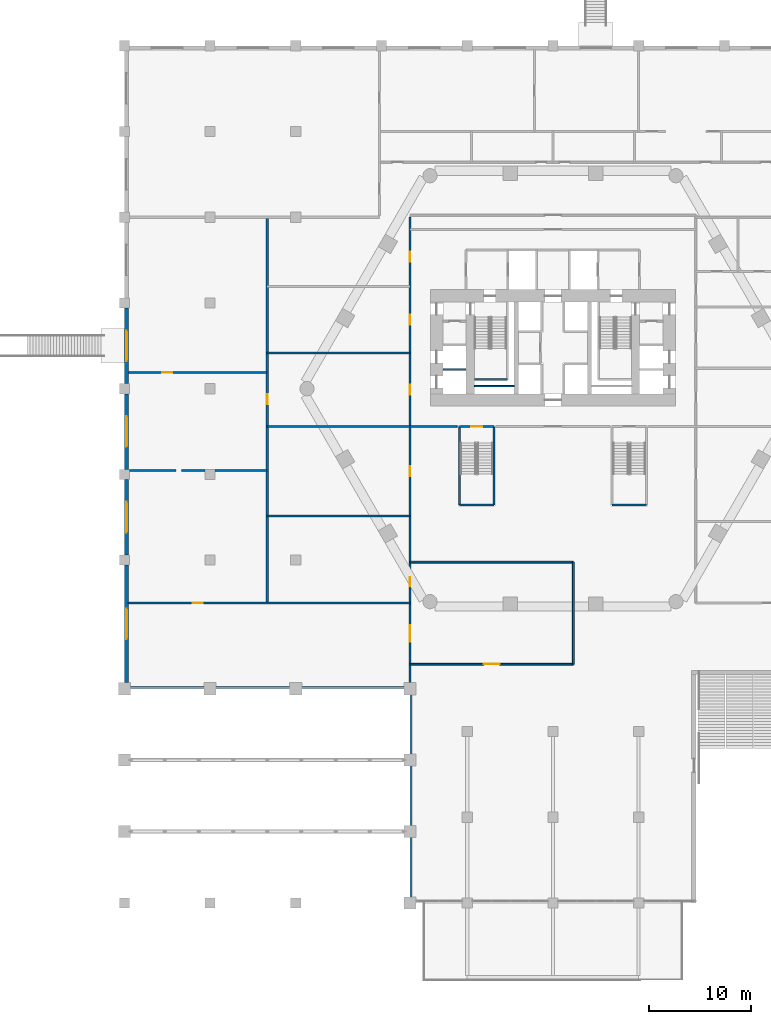
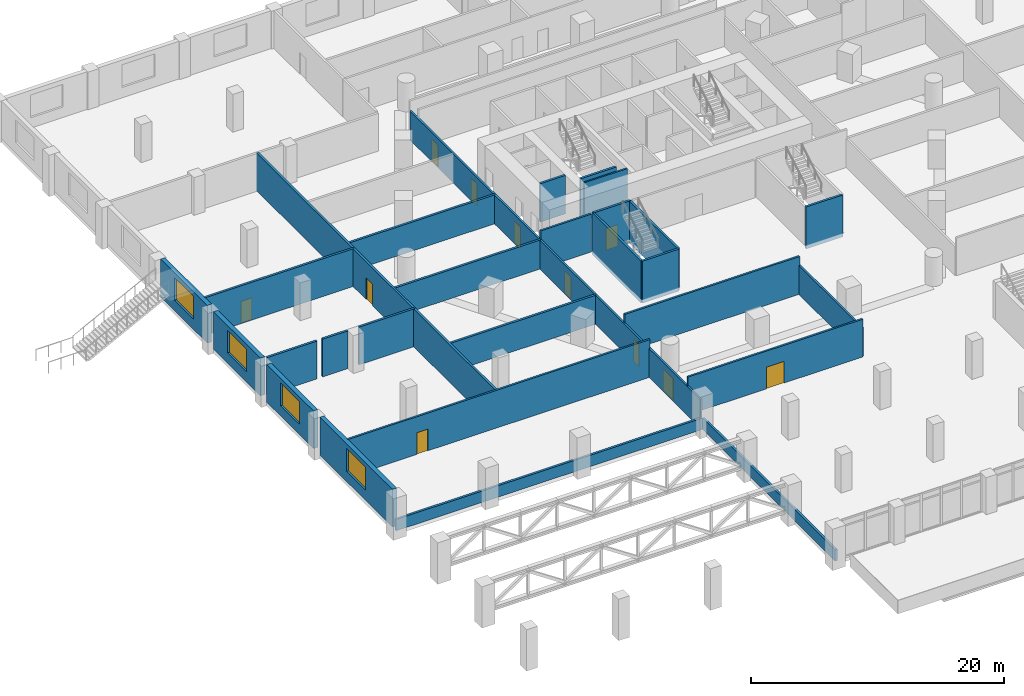
# One storey, part 12 of 24: 28 walls, 11 doors, 4 windows, 15 openings.
"""IFC4 building model written with IfcOpenShell, lengths in metres."""

import ifcopenshell
import ifcopenshell.guid

model = None  # the IFC model being written
_history = None  # IfcOwnerHistory: only IFC2X3 demands one
_inside = {}  # id of a spatial element -> (the spatial element, [elements in it])
_under = {}  # id of a project, library or spatial element -> (it, [spatial elements below it])
_declared = {}  # id of a project -> (the project, [libraries it declares])
_typed = {}  # id of a type object -> (the type object, [elements of that type])
_made_of = {}  # id of a material, layer set ... -> (it, [elements and type objects made of it])


def new_model(schema):
    """Start an empty IFC model of exactly this schema.

    Asked for "IFC4X3", IfcOpenShell would pick the latest addendum, in which some entities
    have other attributes; the version numbers below select the first issue.
    IFC2X3 requires an IfcOwnerHistory on every rooted entity: one is made here for all.
    """
    global model, _history
    if schema == "IFC4X3":
        model = ifcopenshell.file(schema_version=(4, 3, 0, 0))
    else:
        model = ifcopenshell.file(schema=schema)
    _inside.clear()
    _under.clear()
    _declared.clear()
    _typed.clear()
    _made_of.clear()
    _history = None
    if model.schema == "IFC2X3":
        org = make("IfcOrganization", Name="unknown")
        user = make(
            "IfcPersonAndOrganization",
            ThePerson=make("IfcPerson", FamilyName="unknown"),
            TheOrganization=org,
        )
        app = make(
            "IfcApplication",
            ApplicationDeveloper=org,
            Version="unknown",
            ApplicationFullName="unknown",
            ApplicationIdentifier="unknown",
        )
        _history = make(
            "IfcOwnerHistory",
            OwningUser=user,
            OwningApplication=app,
            ChangeAction="ADDED",
            CreationDate=0,
        )
    return model


def make(cls, **values):
    """One entity of the class cls with the attributes given. An attribute that is None is left unset."""
    return model.create_entity(
        cls, **{name: value for name, value in values.items() if value is not None}
    )


def rooted(cls, **values):
    """An entity with a GlobalId (a new one), such as an element, a storey or a relation."""
    return make(cls, GlobalId=ifcopenshell.guid.new(), OwnerHistory=_history, **values)


def si_unit(unit_type, name, prefix=None):
    """IfcSIUnit, for example si_unit("LENGTHUNIT", "METRE", prefix="MILLI")."""
    return make("IfcSIUnit", UnitType=unit_type, Prefix=prefix, Name=name)


def assignment(units):
    """IfcUnitAssignment: the units of a project."""
    return None if units is None else make("IfcUnitAssignment", Units=units)


def point(xyz):
    """IfcCartesianPoint."""
    return None if xyz is None else make("IfcCartesianPoint", Coordinates=xyz)


def direction(xyz):
    """IfcDirection."""
    return None if xyz is None else make("IfcDirection", DirectionRatios=xyz)


def frame(location, z_axis=None, x_axis=None):
    """IfcAxis2Placement3D, a coordinate frame: its origin and axes. An axis left out is left unset."""
    return make(
        "IfcAxis2Placement3D",
        Location=point(location),
        Axis=direction(z_axis),
        RefDirection=direction(x_axis),
    )


def frame_2d(location, x_axis=None):
    """IfcAxis2Placement2D, a coordinate frame in the plane: its origin and x axis."""
    return make(
        "IfcAxis2Placement2D", Location=point(location), RefDirection=direction(x_axis)
    )


def origin():
    """The frame at (0, 0, 0) with its axes left unset."""
    return frame((0.0, 0.0, 0.0))


def place(relative_to, where):
    """IfcLocalPlacement: puts the frame where relative to a parent placement (None: the world)."""
    return make(
        "IfcLocalPlacement", PlacementRelTo=relative_to, RelativePlacement=where
    )


def context(
    kind, dimensions, precision=None, world=None, true_north=None, identifier=None
):
    """IfcGeometricRepresentationContext, for example the 3D "Model" context."""
    return make(
        "IfcGeometricRepresentationContext",
        ContextIdentifier=identifier,
        ContextType=kind,
        CoordinateSpaceDimension=dimensions,
        Precision=precision,
        WorldCoordinateSystem=world,
        TrueNorth=true_north,
    )


def subcontext(parent, identifier, kind, view, scale=None):
    """IfcGeometricRepresentationSubContext, for example "Body" below "Model"."""
    return make(
        "IfcGeometricRepresentationSubContext",
        ContextIdentifier=identifier,
        ContextType=kind,
        ParentContext=parent,
        TargetScale=scale,
        TargetView=view,
    )


def project(units=None, contexts=None):
    """IfcProject with its units and contexts."""
    return rooted(
        "IfcProject",
        Name="project",
        RepresentationContexts=contexts,
        UnitsInContext=assignment(units),
    )


def spatial(cls, under=None, at=None, **own):
    """A site, building, storey or space (cls), placed at a placement, below another one or the project."""
    s = rooted(cls, ObjectPlacement=at, **own)
    if under is not None:
        _under.setdefault(under.id(), (under, []))[1].append(s)
    return s


def profile(cls, at=None, kind="AREA", **sizes):
    """A parametric profile (cls). Its sizes go by their IFC names, for example OverallWidth=200.0."""
    return make(cls, ProfileType=kind, Position=at, **sizes)


def rectangle(**sizes):
    """IfcRectangleProfileDef."""
    return profile("IfcRectangleProfileDef", **sizes)


def extrude(swept, where, along, depth):
    """IfcExtrudedAreaSolid: the profile swept, set in the frame where, extruded along a direction by depth."""
    return make(
        "IfcExtrudedAreaSolid",
        SweptArea=swept,
        Position=where,
        ExtrudedDirection=direction(along),
        Depth=depth,
    )


def shape(context_of_items, identifier, shape_type, items):
    """IfcShapeRepresentation: the items that make up one representation, for example the "Body"."""
    return make(
        "IfcShapeRepresentation",
        ContextOfItems=context_of_items,
        RepresentationIdentifier=identifier,
        RepresentationType=shape_type,
        Items=items,
    )


def material(Name=None, Category=None):
    """IfcMaterial."""
    return make("IfcMaterial", Name=Name, Category=Category)


def layer(
    of_material, thickness, ventilated=None, Name=None, Category=None, Priority=None
):
    """IfcMaterialLayer: one layer of a wall or slab, of a material (None: an air gap)."""
    return make(
        "IfcMaterialLayer",
        Material=of_material,
        LayerThickness=thickness,
        IsVentilated=ventilated,
        Name=Name,
        Category=Category,
        Priority=Priority,
    )


def layer_set(layers, Name=None):
    """IfcMaterialLayerSet."""
    return make("IfcMaterialLayerSet", MaterialLayers=layers, LayerSetName=Name)


def made_of(thing, what):
    """Note that an element or type object is made of a material, layer set ...; save() writes the relation."""
    if what is not None:
        _made_of.setdefault(what.id(), (what, []))[1].append(thing)
    return thing


def type_object(cls, material=None, **own):
    """A type object (cls), such as IfcWallType, which elements share."""
    return made_of(rooted(cls, **own), material)


def element(
    cls,
    number,
    at=None,
    inside=None,
    cuts=None,
    type_object=None,
    material=None,
    context=None,
    identifier="Body",
    shape_type=None,
    held_by="IfcProductDefinitionShape",
    body=None,
    shapes=None,
    **own,
):
    """One element of the class cls, such as IfcWall. Its Tag is "e" and its number.

    at: its placement. inside: the storey or other place that contains it. cuts: it is an
    opening in that element (IfcRelVoidsElement). A single representation is given by context,
    identifier, shape_type and body (its items); several are given by shapes. held_by: the class
    of the entity that holds the representations. save() writes the other relations.
    """
    e = rooted(cls, Tag="e%d" % number, ObjectPlacement=at, **own)
    if body is not None:
        shapes = [shape(context, identifier, shape_type, body)]
    if shapes is not None:
        e.Representation = make(held_by, Representations=shapes)
    if inside is not None:
        _inside.setdefault(inside.id(), (inside, []))[1].append(e)
    if cuts is not None:
        rooted(
            "IfcRelVoidsElement", RelatingBuildingElement=cuts, RelatedOpeningElement=e
        )
    if type_object is not None:
        _typed.setdefault(type_object.id(), (type_object, []))[1].append(e)
    return made_of(e, material)


def fill(opening, filler):
    """IfcRelFillsElement: the door or window that sits in an opening."""
    return rooted(
        "IfcRelFillsElement",
        RelatingOpeningElement=opening,
        RelatedBuildingElement=filler,
    )


def aggregate(whole, parts):
    """IfcRelAggregates: a whole, such as a stair, and the parts it consists of."""
    return rooted("IfcRelAggregates", RelatingObject=whole, RelatedObjects=parts)


def save(model, path):
    """Write the relations noted so far, then the file.

    IfcRelAggregates (storeys below a building ...), IfcRelContainedInSpatialStructure (elements
    in a storey), IfcRelDefinesByType, IfcRelAssociatesMaterial and IfcRelDeclares: one each for
    every whole, place, type object, material and project.
    """
    for whole, parts in _under.values():
        aggregate(whole, parts)
    for where, things in _inside.values():
        rooted(
            "IfcRelContainedInSpatialStructure",
            RelatedElements=things,
            RelatingStructure=where,
        )
    for kind, things in _typed.values():
        rooted("IfcRelDefinesByType", RelatedObjects=things, RelatingType=kind)
    for what, things in _made_of.values():
        rooted("IfcRelAssociatesMaterial", RelatedObjects=things, RelatingMaterial=what)
    for by, libraries in _declared.values():
        rooted("IfcRelDeclares", RelatingContext=by, RelatedDefinitions=libraries)
    model.write(path)


model = new_model("IFC4")

# Units and contexts
model_context = context("Model", 3, precision=1e-05, world=origin(), true_north=direction((0.0, 1.0)))
body_context = subcontext(model_context, "Body", "Model", "MODEL_VIEW")
ifc_project = project(units=[si_unit("LENGTHUNIT", "METRE"), si_unit("AREAUNIT", "SQUARE_METRE"), si_unit("VOLUMEUNIT", "CUBIC_METRE"), si_unit("PLANEANGLEUNIT", "RADIAN"), si_unit("MASSUNIT", "GRAM", prefix="KILO")], contexts=[model_context])

# Site, building, storey
site_placement = place(None, origin())
site = spatial("IfcSite", under=ifc_project, at=site_placement, CompositionType="ELEMENT")
building_placement = place(site_placement, origin())
building = spatial("IfcBuilding", under=site, at=building_placement, Name="Ostrander Bayou Hotel Tower", CompositionType="ELEMENT")
storey_placement = place(building_placement, frame((0.0, 0.0, 6.0)))
storey = spatial("IfcBuildingStorey", under=building, at=storey_placement, Name="L01", CompositionType="ELEMENT", Elevation=6.0)

# Walls
ifc_material_1 = material(Name="Gypsum board partition", Category="finish")
ifc_layer_1 = layer(ifc_material_1, 0.199951171875)
ifc_layer_set_1 = layer_set([ifc_layer_1], Name="PT3 demising wall 200 mm acoustic double stud, 1 hour")
wall_type_1 = type_object("IfcWallType", Name="PT3 demising wall 200 mm acoustic double stud, 1 hour", PredefinedType="PARTITIONING", material=ifc_layer_set_1)
wall_1_placement = place(storey_placement, frame((-28.0, -12.5, 0.0), z_axis=(0.0, 0.0, 1.0), x_axis=(1.0, 0.0, 0.0)))
element("IfcWall", 1, at=wall_1_placement, inside=storey, type_object=wall_type_1, Name="sw:L01:027", PredefinedType="PARTITIONING", context=body_context, shape_type="SweptSolid", body=[
    extrude(rectangle(XDim=14.0, YDim=0.199951171875, at=frame_2d((7.0, 0.0))), origin(), (0.0, 0.0, 1.0), 2.800048828125),
])
wall_2_placement = place(storey_placement, frame((-41.5, -8.0, 0.0), z_axis=(0.0, 0.0, 1.0), x_axis=(1.0, 0.0, 0.0)))
element("IfcWall", 2, at=wall_2_placement, inside=storey, type_object=wall_type_1, Name="sw:L01:028", PredefinedType="PARTITIONING", context=body_context, shape_type="SweptSolid", body=[
    extrude(rectangle(XDim=4.56884765625, YDim=0.199951171875, at=frame_2d((2.284423828125, 0.0))), origin(), (0.0, 0.0, 1.0), 3.64990234375),
])
wall_3_placement = place(storey_placement, frame((-36.41650390625, -8.0, 0.0), z_axis=(0.0, 0.0, 1.0), x_axis=(1.0, 0.0, 0.0)))
element("IfcWall", 3, at=wall_3_placement, inside=storey, type_object=wall_type_1, Name="sw:L01:029", PredefinedType="PARTITIONING", context=body_context, shape_type="SweptSolid", body=[
    extrude(rectangle(XDim=2.31640625, YDim=0.199951171875, at=frame_2d((1.158203125, 0.0))), origin(), (0.0, 0.0, 1.0), 3.64990234375),
])
wall_4_placement = place(storey_placement, frame((-33.10009765625, -8.0, 0.0), z_axis=(0.0, 0.0, 1.0), x_axis=(1.0, 0.0, 0.0)))
element("IfcWall", 4, at=wall_4_placement, inside=storey, type_object=wall_type_1, Name="sw:L01:030", PredefinedType="PARTITIONING", context=body_context, shape_type="SweptSolid", body=[
    extrude(rectangle(XDim=5.10009765625, YDim=0.199951171875, at=frame_2d((2.550048828125, 0.0))), origin(), (0.0, 0.0, 1.0), 3.64990234375),
])
wall_5_placement = place(storey_placement, frame((-28.0, -3.699951171875, 0.0), z_axis=(0.0, 0.0, 1.0), x_axis=(1.0, 0.0, 0.0)))
element("IfcWall", 5, at=wall_5_placement, inside=storey, type_object=wall_type_1, Name="sw:L01:031", PredefinedType="PARTITIONING", context=body_context, shape_type="SweptSolid", body=[
    extrude(rectangle(XDim=14.0, YDim=0.199951171875, at=frame_2d((7.0, 0.0))), origin(), (0.0, 0.0, 1.0), 2.800048828125),
])

# Wall, opening, door
wall_6_placement = place(storey_placement, frame((-41.6201171875, 1.60009765625, 0.0), z_axis=(0.0, 0.0, 1.0), x_axis=(1.0, 0.0, 0.0)))
wall_6 = element("IfcWall", 6, at=wall_6_placement, inside=storey, type_object=wall_type_1, Name="sw:L01:033", PredefinedType="PARTITIONING", context=body_context, shape_type="SweptSolid", body=[
    extrude(rectangle(XDim=13.6201171875, YDim=0.199951171875, at=frame_2d((6.81005859375, 0.0))), origin(), (0.0, 0.0, 1.0), 3.64990234375),
])
opening_1_placement = place(wall_6_placement, frame((3.320068359375, 0.0, 0.0)))
opening_1 = element("IfcOpeningElement", 7, at=opening_1_placement, cuts=wall_6, Name="Opening T01-225", PredefinedType="OPENING", context=body_context, shape_type="SweptSolid", body=[
    extrude(rectangle(XDim=1.0, YDim=2.10009765625, at=frame_2d((0.5, 1.050048828125))), frame((0.0, 0.10009765625, 0.0), z_axis=(0.0, -1.0, 0.0), x_axis=(1.0, 0.0, 0.0)), (0.0, 0.0, 1.0), 0.199951171875),
])
ifc_material_2 = material(Name="Timber door leaf", Category="wood")
door_type_1 = type_object("IfcDoorType", Name="D9 service door 1000 x 2100 mm, 30 minute", OperationType="SINGLE_SWING_LEFT", PredefinedType="DOOR", material=ifc_material_2)
door_1_placement = place(opening_1_placement, origin())
door_1 = element("IfcDoor", 8, at=door_1_placement, inside=storey, type_object=door_type_1, Name="dr:L01:225", OperationType="SINGLE_SWING_LEFT", OverallHeight=2.10009765625, OverallWidth=1.0, PredefinedType="DOOR", context=body_context, shape_type="SweptSolid", body=[
    extrude(rectangle(XDim=1.0, YDim=2.10009765625, at=frame_2d((0.5, 1.050048828125))), frame((0.0, 0.02490234375, 0.0), z_axis=(0.0, -1.0, 0.0), x_axis=(1.0, 0.0, 0.0)), (0.0, 0.0, 1.0), 0.050048828125),
])
fill(opening_1, door_1)

# Wall
wall_7_placement = place(storey_placement, frame((-28.0, 3.5, 0.0), z_axis=(0.0, 0.0, 1.0), x_axis=(1.0, 0.0, 0.0)))
element("IfcWall", 9, at=wall_7_placement, inside=storey, type_object=wall_type_1, Name="sw:L01:036", PredefinedType="PARTITIONING", context=body_context, shape_type="SweptSolid", body=[
    extrude(rectangle(XDim=14.0, YDim=0.199951171875, at=frame_2d((7.0, 0.0))), origin(), (0.0, 0.0, 1.0), 2.800048828125),
])

# Wall, opening, door
wall_8_placement = place(storey_placement, frame((-28.0, -21.0, 0.0), z_axis=(0.0, 0.0, 1.0), x_axis=(0.0, 1.0, 0.0)))
wall_8 = element("IfcWall", 10, at=wall_8_placement, inside=storey, type_object=wall_type_1, Name="sw:L01:046", PredefinedType="PARTITIONING", context=body_context, shape_type="SweptSolid", body=[
    extrude(rectangle(XDim=37.800048828125, YDim=0.199951171875, at=frame_2d((18.89990234375, 0.0))), origin(), (0.0, 0.0, 1.0), 3.64990234375),
])
opening_2_placement = place(wall_8_placement, frame((19.449951171875, 0.0, 0.0)))
opening_2 = element("IfcOpeningElement", 11, at=opening_2_placement, cuts=wall_8, Name="Opening T01-224", PredefinedType="OPENING", context=body_context, shape_type="SweptSolid", body=[
    extrude(rectangle(XDim=1.0, YDim=2.10009765625, at=frame_2d((0.5, 1.050048828125))), frame((0.0, 0.10009765625, 0.0), z_axis=(0.0, -1.0, 0.0), x_axis=(1.0, 0.0, 0.0)), (0.0, 0.0, 1.0), 0.199951171875),
])
door_2_placement = place(opening_2_placement, origin())
door_2 = element("IfcDoor", 12, at=door_2_placement, inside=storey, type_object=door_type_1, Name="dr:L01:224", OperationType="SINGLE_SWING_RIGHT", OverallHeight=2.10009765625, OverallWidth=1.0, PredefinedType="DOOR", context=body_context, shape_type="SweptSolid", body=[
    extrude(rectangle(XDim=1.0, YDim=2.10009765625, at=frame_2d((0.5, 1.050048828125))), frame((0.0, 0.02490234375, 0.0), z_axis=(0.0, -1.0, 0.0), x_axis=(1.0, 0.0, 0.0)), (0.0, 0.0, 1.0), 0.050048828125),
])
fill(opening_2, door_2)

ifc_material_3 = material(Name="Gypsum board partition", Category="finish")
ifc_layer_2 = layer(ifc_material_3, 0.175048828125)
ifc_layer_set_2 = layer_set([ifc_layer_2], Name="PT4 corridor wall 175 mm, 1 hour")
wall_type_2 = type_object("IfcWallType", Name="PT4 corridor wall 175 mm, 1 hour", PredefinedType="PARTITIONING", material=ifc_layer_set_2)
wall_9_placement = place(storey_placement, frame((-14.0, -27.0, 0.0), z_axis=(0.0, 0.0, 1.0), x_axis=(1.0, 0.0, 0.0)))
wall_9 = element("IfcWall", 13, at=wall_9_placement, inside=storey, type_object=wall_type_2, Name="sw:L01:001", PredefinedType="PARTITIONING", context=body_context, shape_type="SweptSolid", body=[
    extrude(rectangle(XDim=16.0, YDim=0.175048828125, at=frame_2d((8.0, 0.0))), origin(), (0.0, 0.0, 1.0), 3.64990234375),
])
opening_3_placement = place(wall_9_placement, frame((7.199951171875, 0.0, 0.0)))
opening_3 = element("IfcOpeningElement", 14, at=opening_3_placement, cuts=wall_9, Name="Opening T01-208", PredefinedType="OPENING", context=body_context, shape_type="SweptSolid", body=[
    extrude(rectangle(XDim=1.60009765625, YDim=2.10009765625, at=frame_2d((0.800048828125, 1.050048828125))), frame((0.0, 0.08740234375, 0.0), z_axis=(0.0, -1.0, 0.0), x_axis=(1.0, 0.0, 0.0)), (0.0, 0.0, 1.0), 0.175048828125),
])
ifc_material_4 = material(Name="Timber door leaf", Category="wood")
door_type_2 = type_object("IfcDoorType", Name="D13 double door 1600 x 2100 mm, 1 hour", OperationType="SINGLE_SWING_LEFT", PredefinedType="DOOR", material=ifc_material_4)
door_3_placement = place(opening_3_placement, origin())
door_3 = element("IfcDoor", 15, at=door_3_placement, inside=storey, type_object=door_type_2, Name="dr:L01:208", OperationType="DOUBLE_DOOR_SINGLE_SWING", OverallHeight=2.10009765625, OverallWidth=1.60009765625, PredefinedType="DOOR", context=body_context, shape_type="SweptSolid", body=[
    extrude(rectangle(XDim=1.60009765625, YDim=2.10009765625, at=frame_2d((0.800048828125, 1.050048828125))), frame((0.0, 0.02490234375, 0.0), z_axis=(0.0, -1.0, 0.0), x_axis=(1.0, 0.0, 0.0)), (0.0, 0.0, 1.0), 0.050048828125),
])
fill(opening_3, door_3)

wall_10_placement = place(storey_placement, frame((-41.6201171875, -21.0, 0.0), z_axis=(0.0, 0.0, 1.0), x_axis=(1.0, 0.0, 0.0)))
wall_10 = element("IfcWall", 16, at=wall_10_placement, inside=storey, type_object=wall_type_2, Name="sw:L01:002", PredefinedType="PARTITIONING", context=body_context, shape_type="SweptSolid", body=[
    extrude(rectangle(XDim=27.6201171875, YDim=0.175048828125, at=frame_2d((13.81005859375, 0.0))), origin(), (0.0, 0.0, 1.0), 3.64990234375),
])
opening_4_placement = place(wall_10_placement, frame((6.31005859375, 0.0, 0.0)))
opening_4 = element("IfcOpeningElement", 17, at=opening_4_placement, cuts=wall_10, Name="Opening T01-223", PredefinedType="OPENING", context=body_context, shape_type="SweptSolid", body=[
    extrude(rectangle(XDim=1.0, YDim=2.10009765625, at=frame_2d((0.5, 1.050048828125))), frame((0.0, 0.08740234375, 0.0), z_axis=(0.0, -1.0, 0.0), x_axis=(1.0, 0.0, 0.0)), (0.0, 0.0, 1.0), 0.175048828125),
])
door_4_placement = place(opening_4_placement, origin())
door_4 = element("IfcDoor", 18, at=door_4_placement, inside=storey, type_object=door_type_1, Name="dr:L01:223", OperationType="SINGLE_SWING_LEFT", OverallHeight=2.10009765625, OverallWidth=1.0, PredefinedType="DOOR", context=body_context, shape_type="SweptSolid", body=[
    extrude(rectangle(XDim=1.0, YDim=2.10009765625, at=frame_2d((0.5, 1.050048828125))), frame((0.0, 0.02490234375, 0.0), z_axis=(0.0, -1.0, 0.0), x_axis=(1.0, 0.0, 0.0)), (0.0, 0.0, 1.0), 0.050048828125),
])
fill(opening_4, door_4)

# Walls
wall_11_placement = place(storey_placement, frame((-14.0, -17.0, 0.0), z_axis=(0.0, 0.0, 1.0), x_axis=(1.0, 0.0, 0.0)))
element("IfcWall", 19, at=wall_11_placement, inside=storey, type_object=wall_type_2, Name="sw:L01:004", PredefinedType="PARTITIONING", context=body_context, shape_type="SweptSolid", body=[
    extrude(rectangle(XDim=16.0, YDim=0.175048828125, at=frame_2d((8.0, 0.0))), origin(), (0.0, 0.0, 1.0), 3.64990234375),
])
wall_12_placement = place(storey_placement, frame((-14.0, -3.699951171875, 0.0), z_axis=(0.0, 0.0, 1.0), x_axis=(1.0, 0.0, 0.0)))
element("IfcWall", 20, at=wall_12_placement, inside=storey, type_object=wall_type_2, Name="sw:L01:005", PredefinedType="PARTITIONING", context=body_context, shape_type="SweptSolid", body=[
    extrude(rectangle(XDim=4.6201171875, YDim=0.175048828125, at=frame_2d((2.31005859375, 0.0))), origin(), (0.0, 0.0, 1.0), 3.64990234375),
])

# Wall, openings, doors
wall_13_placement = place(storey_placement, frame((-14.0, -29.195068359375, 0.0), z_axis=(0.0, 0.0, 1.0), x_axis=(0.0, 1.0, 0.0)))
wall_13 = element("IfcWall", 21, at=wall_13_placement, inside=storey, type_object=wall_type_2, Name="sw:L01:018", PredefinedType="PARTITIONING", context=body_context, shape_type="SweptSolid", body=[
    extrude(rectangle(XDim=45.9951171875, YDim=0.175048828125, at=frame_2d((22.99755859375, 0.0))), origin(), (0.0, 0.0, 1.0), 2.800048828125),
])
opening_5_placement = place(wall_13_placement, frame((4.39501953125, 0.0, 0.0)))
opening_5 = element("IfcOpeningElement", 22, at=opening_5_placement, cuts=wall_13, Name="Opening T01-207", PredefinedType="OPENING", context=body_context, shape_type="SweptSolid", body=[
    extrude(rectangle(XDim=1.60009765625, YDim=2.10009765625, at=frame_2d((0.800048828125, 1.050048828125))), frame((0.0, 0.08740234375, 0.0), z_axis=(0.0, -1.0, 0.0), x_axis=(1.0, 0.0, 0.0)), (0.0, 0.0, 1.0), 0.175048828125),
])
opening_6_placement = place(wall_13_placement, frame((9.81494140625, 0.0, 0.0)))
opening_6 = element("IfcOpeningElement", 23, at=opening_6_placement, cuts=wall_13, Name="Opening T01-210", PredefinedType="OPENING", context=body_context, shape_type="SweptSolid", body=[
    extrude(rectangle(XDim=0.89990234375, YDim=2.10009765625, at=frame_2d((0.449951171875, 1.050048828125))), frame((0.0, 0.08740234375, 0.0), z_axis=(0.0, -1.0, 0.0), x_axis=(1.0, 0.0, 0.0)), (0.0, 0.0, 1.0), 0.175048828125),
])
opening_7_placement = place(wall_13_placement, frame((20.594970703125, 0.0, 0.0)))
opening_7 = element("IfcOpeningElement", 24, at=opening_7_placement, cuts=wall_13, Name="Opening T01-211", PredefinedType="OPENING", context=body_context, shape_type="SweptSolid", body=[
    extrude(rectangle(XDim=1.0, YDim=2.10009765625, at=frame_2d((0.5, 1.050048828125))), frame((0.0, 0.08740234375, 0.0), z_axis=(0.0, -1.0, 0.0), x_axis=(1.0, 0.0, 0.0)), (0.0, 0.0, 1.0), 0.175048828125),
])
opening_8_placement = place(wall_13_placement, frame((28.594970703125, 0.0, 0.0)))
opening_8 = element("IfcOpeningElement", 25, at=opening_8_placement, cuts=wall_13, Name="Opening T01-212", PredefinedType="OPENING", context=body_context, shape_type="SweptSolid", body=[
    extrude(rectangle(XDim=1.0, YDim=2.10009765625, at=frame_2d((0.5, 1.050048828125))), frame((0.0, 0.08740234375, 0.0), z_axis=(0.0, -1.0, 0.0), x_axis=(1.0, 0.0, 0.0)), (0.0, 0.0, 1.0), 0.175048828125),
])
opening_9_placement = place(wall_13_placement, frame((35.445068359375, 0.0, 0.0)))
opening_9 = element("IfcOpeningElement", 26, at=opening_9_placement, cuts=wall_13, Name="Opening T01-213", PredefinedType="OPENING", context=body_context, shape_type="SweptSolid", body=[
    extrude(rectangle(XDim=1.0, YDim=2.10009765625, at=frame_2d((0.5, 1.050048828125))), frame((0.0, 0.08740234375, 0.0), z_axis=(0.0, -1.0, 0.0), x_axis=(1.0, 0.0, 0.0)), (0.0, 0.0, 1.0), 0.175048828125),
])
opening_10_placement = place(wall_13_placement, frame((41.6279296875, 0.0, 0.0)))
opening_10 = element("IfcOpeningElement", 27, at=opening_10_placement, cuts=wall_13, Name="Opening T01-214", PredefinedType="OPENING", context=body_context, shape_type="SweptSolid", body=[
    extrude(rectangle(XDim=1.0, YDim=2.10009765625, at=frame_2d((0.5, 1.050048828125))), frame((0.0, 0.08740234375, 0.0), z_axis=(0.0, -1.0, 0.0), x_axis=(1.0, 0.0, 0.0)), (0.0, 0.0, 1.0), 0.175048828125),
])
door_5_placement = place(opening_5_placement, origin())
door_5 = element("IfcDoor", 28, at=door_5_placement, inside=storey, type_object=door_type_2, Name="dr:L01:207", OperationType="DOUBLE_DOOR_SINGLE_SWING", OverallHeight=2.10009765625, OverallWidth=1.60009765625, PredefinedType="DOOR", context=body_context, shape_type="SweptSolid", body=[
    extrude(rectangle(XDim=1.60009765625, YDim=2.10009765625, at=frame_2d((0.800048828125, 1.050048828125))), frame((0.0, 0.02490234375, 0.0), z_axis=(0.0, -1.0, 0.0), x_axis=(1.0, 0.0, 0.0)), (0.0, 0.0, 1.0), 0.050048828125),
])
fill(opening_5, door_5)
ifc_material_5 = material(Name="Timber door leaf", Category="wood")
door_type_3 = type_object("IfcDoorType", Name="D8 room door 900 x 2100 mm", OperationType="SINGLE_SWING_LEFT", PredefinedType="DOOR", material=ifc_material_5)
door_6_placement = place(opening_6_placement, origin())
door_6 = element("IfcDoor", 29, at=door_6_placement, inside=storey, type_object=door_type_3, Name="dr:L01:210", OperationType="SINGLE_SWING_RIGHT", OverallHeight=2.10009765625, OverallWidth=0.89990234375, PredefinedType="DOOR", context=body_context, shape_type="SweptSolid", body=[
    extrude(rectangle(XDim=0.89990234375, YDim=2.10009765625, at=frame_2d((0.449951171875, 1.050048828125))), frame((0.0, 0.02490234375, 0.0), z_axis=(0.0, -1.0, 0.0), x_axis=(1.0, 0.0, 0.0)), (0.0, 0.0, 1.0), 0.050048828125),
])
fill(opening_6, door_6)
door_7_placement = place(opening_7_placement, origin())
door_7 = element("IfcDoor", 30, at=door_7_placement, inside=storey, type_object=door_type_1, Name="dr:L01:211", OperationType="SINGLE_SWING_LEFT", OverallHeight=2.10009765625, OverallWidth=1.0, PredefinedType="DOOR", context=body_context, shape_type="SweptSolid", body=[
    extrude(rectangle(XDim=1.0, YDim=2.10009765625, at=frame_2d((0.5, 1.050048828125))), frame((0.0, 0.02490234375, 0.0), z_axis=(0.0, -1.0, 0.0), x_axis=(1.0, 0.0, 0.0)), (0.0, 0.0, 1.0), 0.050048828125),
])
fill(opening_7, door_7)
door_8_placement = place(opening_8_placement, origin())
door_8 = element("IfcDoor", 31, at=door_8_placement, inside=storey, type_object=door_type_1, Name="dr:L01:212", OperationType="SINGLE_SWING_RIGHT", OverallHeight=2.10009765625, OverallWidth=1.0, PredefinedType="DOOR", context=body_context, shape_type="SweptSolid", body=[
    extrude(rectangle(XDim=1.0, YDim=2.10009765625, at=frame_2d((0.5, 1.050048828125))), frame((0.0, 0.02490234375, 0.0), z_axis=(0.0, -1.0, 0.0), x_axis=(1.0, 0.0, 0.0)), (0.0, 0.0, 1.0), 0.050048828125),
])
fill(opening_8, door_8)
door_9_placement = place(opening_9_placement, origin())
door_9 = element("IfcDoor", 32, at=door_9_placement, inside=storey, type_object=door_type_1, Name="dr:L01:213", OperationType="SINGLE_SWING_LEFT", OverallHeight=2.10009765625, OverallWidth=1.0, PredefinedType="DOOR", context=body_context, shape_type="SweptSolid", body=[
    extrude(rectangle(XDim=1.0, YDim=2.10009765625, at=frame_2d((0.5, 1.050048828125))), frame((0.0, 0.02490234375, 0.0), z_axis=(0.0, -1.0, 0.0), x_axis=(1.0, 0.0, 0.0)), (0.0, 0.0, 1.0), 0.050048828125),
])
fill(opening_9, door_9)
door_10_placement = place(opening_10_placement, origin())
door_10 = element("IfcDoor", 33, at=door_10_placement, inside=storey, type_object=door_type_1, Name="dr:L01:214", OperationType="SINGLE_SWING_RIGHT", OverallHeight=2.10009765625, OverallWidth=1.0, PredefinedType="DOOR", context=body_context, shape_type="SweptSolid", body=[
    extrude(rectangle(XDim=1.0, YDim=2.10009765625, at=frame_2d((0.5, 1.050048828125))), frame((0.0, 0.02490234375, 0.0), z_axis=(0.0, -1.0, 0.0), x_axis=(1.0, 0.0, 0.0)), (0.0, 0.0, 1.0), 0.050048828125),
])
fill(opening_10, door_10)

# Walls
wall_14_placement = place(storey_placement, frame((2.0, -27.0, 0.0), z_axis=(0.0, 0.0, 1.0), x_axis=(0.0, 1.0, 0.0)))
element("IfcWall", 34, at=wall_14_placement, inside=storey, type_object=wall_type_2, Name="sw:L01:019", PredefinedType="PARTITIONING", context=body_context, shape_type="SweptSolid", body=[
    extrude(rectangle(XDim=10.0, YDim=0.175048828125, at=frame_2d((5.0, 0.0))), origin(), (0.0, 0.0, 1.0), 2.800048828125),
])
ifc_material_6 = material(Name="Masonry block", Category="masonry")
ifc_layer_3 = layer(ifc_material_6, 0.199951171875)
ifc_layer_set_3 = layer_set([ifc_layer_3], Name="PT6 lift shaft wall 200 mm masonry, 2 hour")
wall_type_3 = type_object("IfcWallType", Name="PT6 lift shaft wall 200 mm masonry, 2 hour", PredefinedType="PARTITIONING", material=ifc_layer_set_3)
wall_15_placement = place(storey_placement, frame((-10.800048828125, 1.89990234375, 0.0), z_axis=(0.0, 0.0, 1.0), x_axis=(1.0, 0.0, 0.0)))
element("IfcWall", 35, at=wall_15_placement, inside=storey, type_object=wall_type_3, Name="cs:L01:031", PredefinedType="PARTITIONING", context=body_context, shape_type="SweptSolid", body=[
    extrude(rectangle(XDim=2.300048828125, YDim=0.199951171875, at=frame_2d((1.14990234375, 0.0))), origin(), (0.0, 0.0, 1.0), 3.699951171875),
])
ifc_material_7 = material(Name="Gypsum board partition", Category="finish")
ifc_layer_4 = layer(ifc_material_7, 0.14990234375)
ifc_layer_set_4 = layer_set([ifc_layer_4], Name="PT7 riser wall 150 mm, 2 hour")
wall_type_4 = type_object("IfcWallType", Name="PT7 riser wall 150 mm, 2 hour", PredefinedType="PARTITIONING", material=ifc_layer_set_4)
wall_16_placement = place(storey_placement, frame((-7.699951171875, 0.25, 0.0), z_axis=(0.0, 0.0, 1.0), x_axis=(1.0, 0.0, 0.0)))
element("IfcWall", 36, at=wall_16_placement, inside=storey, type_object=wall_type_4, Name="cs:L01:011", PredefinedType="PARTITIONING", context=body_context, shape_type="SweptSolid", body=[
    extrude(rectangle(XDim=3.89990234375, YDim=0.14990234375, at=frame_2d((1.949951171875, 0.0))), origin(), (0.0, 0.0, 1.0), 3.699951171875),
])

# Wall, opening, window
ifc_material_8 = material(Name="Reconstituted stone on masonry backing", Category="masonry")
ifc_layer_5 = layer(ifc_material_8, 0.39990234375)
ifc_layer_set_5 = layer_set([ifc_layer_5], Name="PW1 stone cladding wall 400 mm")
wall_type_5 = type_object("IfcWallType", Name="PW1 stone cladding wall 400 mm", PredefinedType="SOLIDWALL", material=ifc_layer_set_5)
wall_17_placement = place(storey_placement, frame((-41.800048828125, -28.800048828125, 0.0), z_axis=(0.0, 0.0, 1.0), x_axis=(0.0, 1.0, 0.0)))
wall_17 = element("IfcWall", 37, at=wall_17_placement, inside=storey, type_object=wall_type_5, Name="pw:L01:32", PredefinedType="SOLIDWALL", context=body_context, shape_type="SweptSolid", body=[
    extrude(rectangle(XDim=11.5, YDim=0.39990234375, at=frame_2d((5.75, 0.0))), origin(), (0.0, 0.0, 1.0), 3.64990234375),
])
opening_11_placement = place(wall_17_placement, frame((4.25, 0.0, 1.0)))
opening_11 = element("IfcOpeningElement", 38, at=opening_11_placement, cuts=wall_17, Name="Opening W6", PredefinedType="OPENING", context=body_context, shape_type="SweptSolid", body=[
    extrude(rectangle(XDim=3.0, YDim=2.199951171875, at=frame_2d((1.5, 1.10009765625))), frame((0.0, 0.199951171875, 0.0), z_axis=(0.0, -1.0, 0.0), x_axis=(1.0, 0.0, 0.0)), (0.0, 0.0, 1.0), 0.39990234375),
])
ifc_material_9 = material(Name="Aluminium and clear glass", Category="aluminium")
window_type = type_object("IfcWindowType", Name="W6 podium window 3000 mm", PartitioningType="SINGLE_PANEL", PredefinedType="WINDOW", material=ifc_material_9)
window_1_placement = place(opening_11_placement, origin())
window_1 = element("IfcWindow", 39, at=window_1_placement, inside=storey, type_object=window_type, Name="W6 L01 32", OverallHeight=2.199951171875, OverallWidth=3.0, PartitioningType="SINGLE_PANEL", PredefinedType="WINDOW", context=body_context, shape_type="SweptSolid", body=[
    extrude(rectangle(XDim=3.0, YDim=2.199951171875, at=frame_2d((1.5, 1.10009765625))), frame((0.0, 0.030029296875, 0.0), z_axis=(0.0, -1.0, 0.0), x_axis=(1.0, 0.0, 0.0)), (0.0, 0.0, 1.0), 0.06005859375),
])
fill(opening_11, window_1)

wall_18_placement = place(storey_placement, frame((-41.800048828125, -16.300048828125, 0.0), z_axis=(0.0, 0.0, 1.0), x_axis=(0.0, 1.0, 0.0)))
wall_18 = element("IfcWall", 40, at=wall_18_placement, inside=storey, type_object=wall_type_5, Name="pw:L01:33", PredefinedType="SOLIDWALL", context=body_context, shape_type="SweptSolid", body=[
    extrude(rectangle(XDim=7.400146484375, YDim=0.39990234375, at=frame_2d((3.7001953125, 0.0))), origin(), (0.0, 0.0, 1.0), 3.64990234375),
])
opening_12_placement = place(wall_18_placement, frame((2.199951171875, 0.0, 1.0)))
opening_12 = element("IfcOpeningElement", 41, at=opening_12_placement, cuts=wall_18, Name="Opening W6", PredefinedType="OPENING", context=body_context, shape_type="SweptSolid", body=[
    extrude(rectangle(XDim=3.0, YDim=2.199951171875, at=frame_2d((1.5, 1.10009765625))), frame((0.0, 0.199951171875, 0.0), z_axis=(0.0, -1.0, 0.0), x_axis=(1.0, 0.0, 0.0)), (0.0, 0.0, 1.0), 0.39990234375),
])
window_2_placement = place(opening_12_placement, origin())
window_2 = element("IfcWindow", 42, at=window_2_placement, inside=storey, type_object=window_type, Name="W6 L01 33", OverallHeight=2.199951171875, OverallWidth=3.0, PartitioningType="SINGLE_PANEL", PredefinedType="WINDOW", context=body_context, shape_type="SweptSolid", body=[
    extrude(rectangle(XDim=3.0, YDim=2.199951171875, at=frame_2d((1.5, 1.10009765625))), frame((0.0, 0.030029296875, 0.0), z_axis=(0.0, -1.0, 0.0), x_axis=(1.0, 0.0, 0.0)), (0.0, 0.0, 1.0), 0.06005859375),
])
fill(opening_12, window_2)

wall_19_placement = place(storey_placement, frame((-41.800048828125, -7.89990234375, 0.0), z_axis=(0.0, 0.0, 1.0), x_axis=(0.0, 1.0, 0.0)))
wall_19 = element("IfcWall", 43, at=wall_19_placement, inside=storey, type_object=wall_type_5, Name="pw:L01:34", PredefinedType="SOLIDWALL", context=body_context, shape_type="SweptSolid", body=[
    extrude(rectangle(XDim=7.39990234375, YDim=0.39990234375, at=frame_2d((3.699951171875, 0.0))), origin(), (0.0, 0.0, 1.0), 3.64990234375),
])
opening_13_placement = place(wall_19_placement, frame((2.199951171875, 0.0, 1.0)))
opening_13 = element("IfcOpeningElement", 44, at=opening_13_placement, cuts=wall_19, Name="Opening W6", PredefinedType="OPENING", context=body_context, shape_type="SweptSolid", body=[
    extrude(rectangle(XDim=3.0, YDim=2.199951171875, at=frame_2d((1.5, 1.10009765625))), frame((0.0, 0.199951171875, 0.0), z_axis=(0.0, -1.0, 0.0), x_axis=(1.0, 0.0, 0.0)), (0.0, 0.0, 1.0), 0.39990234375),
])
window_3_placement = place(opening_13_placement, origin())
window_3 = element("IfcWindow", 45, at=window_3_placement, inside=storey, type_object=window_type, Name="W6 L01 34", OverallHeight=2.199951171875, OverallWidth=3.0, PartitioningType="SINGLE_PANEL", PredefinedType="WINDOW", context=body_context, shape_type="SweptSolid", body=[
    extrude(rectangle(XDim=3.0, YDim=2.199951171875, at=frame_2d((1.5, 1.10009765625))), frame((0.0, 0.030029296875, 0.0), z_axis=(0.0, -1.0, 0.0), x_axis=(1.0, 0.0, 0.0)), (0.0, 0.0, 1.0), 0.06005859375),
])
fill(opening_13, window_3)

wall_20_placement = place(storey_placement, frame((-41.800048828125, 0.5, 0.0), z_axis=(0.0, 0.0, 1.0), x_axis=(0.0, 1.0, 0.0)))
wall_20 = element("IfcWall", 46, at=wall_20_placement, inside=storey, type_object=wall_type_5, Name="pw:L01:35", PredefinedType="SOLIDWALL", context=body_context, shape_type="SweptSolid", body=[
    extrude(rectangle(XDim=7.39990234375, YDim=0.39990234375, at=frame_2d((3.699951171875, 0.0))), origin(), (0.0, 0.0, 1.0), 3.64990234375),
])
opening_14_placement = place(wall_20_placement, frame((2.199951171875, 0.0, 1.0)))
opening_14 = element("IfcOpeningElement", 47, at=opening_14_placement, cuts=wall_20, Name="Opening W6", PredefinedType="OPENING", context=body_context, shape_type="SweptSolid", body=[
    extrude(rectangle(XDim=3.0, YDim=2.199951171875, at=frame_2d((1.5, 1.10009765625))), frame((0.0, 0.199951171875, 0.0), z_axis=(0.0, -1.0, 0.0), x_axis=(1.0, 0.0, 0.0)), (0.0, 0.0, 1.0), 0.39990234375),
])
window_4_placement = place(opening_14_placement, origin())
window_4 = element("IfcWindow", 48, at=window_4_placement, inside=storey, type_object=window_type, Name="W6 L01 35", OverallHeight=2.199951171875, OverallWidth=3.0, PartitioningType="SINGLE_PANEL", PredefinedType="WINDOW", context=body_context, shape_type="SweptSolid", body=[
    extrude(rectangle(XDim=3.0, YDim=2.199951171875, at=frame_2d((1.5, 1.10009765625))), frame((0.0, 0.030029296875, 0.0), z_axis=(0.0, -1.0, 0.0), x_axis=(1.0, 0.0, 0.0)), (0.0, 0.0, 1.0), 0.06005859375),
])
fill(opening_14, window_4)

# Walls
ifc_material_10 = material(Name="Concrete f'c 40 MPa", Category="concrete")
ifc_layer_6 = layer(ifc_material_10, 0.199951171875)
ifc_layer_set_6 = layer_set([ifc_layer_6], Name="RP1 ramp well parapet 200 mm")
wall_type_6 = type_object("IfcWallType", Name="RP1 ramp well parapet 200 mm", PredefinedType="PARAPET", material=ifc_layer_set_6)
wall_21_placement = place(storey_placement, frame((-13.89990234375, -50.39990234375, 0.0), z_axis=(0.0, 0.0, 1.0), x_axis=(0.0, 1.0, 0.0)))
element("IfcWall", 49, at=wall_21_placement, inside=storey, type_object=wall_type_6, Name="RP1 L01 ballroom 7", PredefinedType="PARAPET", context=body_context, shape_type="SweptSolid", body=[
    extrude(rectangle(XDim=21.0, YDim=0.199951171875, at=frame_2d((10.5, 0.0))), origin(), (0.0, 0.0, 1.0), 1.10009765625),
])
wall_22_placement = place(storey_placement, frame((-14.0, -29.300048828125, 0.0), z_axis=(0.0, 0.0, 1.0), x_axis=(-1.0, 0.0, 0.0)))
element("IfcWall", 50, at=wall_22_placement, inside=storey, type_object=wall_type_6, Name="RP1 L01 ballroom 8", PredefinedType="PARAPET", context=body_context, shape_type="SweptSolid", body=[
    extrude(rectangle(XDim=28.0, YDim=0.199951171875, at=frame_2d((14.0, 0.0))), origin(), (0.0, 0.0, 1.0), 1.10009765625),
])
ifc_material_11 = material(Name="Concrete f'c 45 MPa", Category="concrete")
ifc_layer_7 = layer(ifc_material_11, 0.199951171875)
ifc_layer_set_7 = layer_set([ifc_layer_7], Name="SW5 stair enclosure wall 200 mm f'c 45 MPa")
wall_type_7 = type_object("IfcWallType", Name="SW5 stair enclosure wall 200 mm f'c 45 MPa", PredefinedType="SOLIDWALL", material=ifc_layer_set_7)
wall_23_placement = place(storey_placement, frame((-7.699951171875, 0.89990234375, -0.35009765625), z_axis=(0.0, 0.0, 1.0), x_axis=(1.0, 0.0, 0.0)))
element("IfcWall", 51, at=wall_23_placement, inside=storey, type_object=wall_type_7, Name="cs:L01:010", PredefinedType="SOLIDWALL", context=body_context, shape_type="SweptSolid", body=[
    extrude(rectangle(XDim=3.25, YDim=0.199951171875, at=frame_2d((1.625, 0.0))), origin(), (0.0, 0.0, 1.0), 4.050048828125),
])
wall_24_placement = place(storey_placement, frame((5.800048828125, -11.39990234375, -0.35009765625), z_axis=(0.0, 0.0, 1.0), x_axis=(1.0, 0.0, 0.0)))
element("IfcWall", 52, at=wall_24_placement, inside=storey, type_object=wall_type_7, Name="cs:L01:018", PredefinedType="SOLIDWALL", context=body_context, shape_type="SweptSolid", body=[
    extrude(rectangle(XDim=3.349853515625, YDim=0.199951171875, at=frame_2d((1.6748046875, 0.0))), origin(), (0.0, 0.0, 1.0), 4.050048828125),
])

# Wall, opening, door
wall_25_placement = place(storey_placement, frame((-9.14990234375, -3.699951171875, -0.35009765625), z_axis=(0.0, 0.0, 1.0), x_axis=(1.0, 0.0, 0.0)))
wall_25 = element("IfcWall", 53, at=wall_25_placement, inside=storey, type_object=wall_type_7, Name="cs:L01:019", PredefinedType="SOLIDWALL", context=body_context, shape_type="SweptSolid", body=[
    extrude(rectangle(XDim=3.349853515625, YDim=0.199951171875, at=frame_2d((1.6748046875, 0.0))), origin(), (0.0, 0.0, 1.0), 4.050048828125),
])
opening_15_placement = place(wall_25_placement, frame((1.125, 0.0, 0.0)))
opening_15 = element("IfcOpeningElement", 54, at=opening_15_placement, cuts=wall_25, Name="Opening T01-008", PredefinedType="OPENING", context=body_context, shape_type="SweptSolid", body=[
    extrude(rectangle(XDim=1.10009765625, YDim=2.10009765625, at=frame_2d((0.550048828125, 1.050048828125))), frame((0.0, 0.10009765625, 0.0), z_axis=(0.0, -1.0, 0.0), x_axis=(1.0, 0.0, 0.0)), (0.0, 0.0, 1.0), 0.199951171875),
])
ifc_material_12 = material(Name="Timber door leaf", Category="wood")
door_type_4 = type_object("IfcDoorType", Name="D5 stair door 1100 x 2100 mm, 90 minute", OperationType="SINGLE_SWING_LEFT", PredefinedType="DOOR", material=ifc_material_12)
door_11_placement = place(opening_15_placement, origin())
door_11 = element("IfcDoor", 55, at=door_11_placement, inside=storey, type_object=door_type_4, Name="dr:L01:008", OperationType="SINGLE_SWING_LEFT", OverallHeight=2.10009765625, OverallWidth=1.10009765625, PredefinedType="DOOR", context=body_context, shape_type="SweptSolid", body=[
    extrude(rectangle(XDim=1.10009765625, YDim=2.10009765625, at=frame_2d((0.550048828125, 1.050048828125))), frame((0.0, 0.02490234375, 0.0), z_axis=(0.0, -1.0, 0.0), x_axis=(1.0, 0.0, 0.0)), (0.0, 0.0, 1.0), 0.050048828125),
])
fill(opening_15, door_11)

# Walls
for number, where, z_axis, x_axis, name in (
    (56, (-9.14990234375, -3.699951171875, -0.35009765625), (0.0, 0.0, 1.0), (0.0, -1.0, 0.0), "cs:L01:020"),
    (57, (-5.800048828125, -3.699951171875, -0.35009765625), (0.0, 0.0, 1.0), (0.0, -1.0, 0.0), "cs:L01:021"),
):
    element("IfcWall", number, at=place(storey_placement, frame(where, z_axis=z_axis, x_axis=x_axis)), inside=storey, type_object=wall_type_7, Name=name, PredefinedType="SOLIDWALL", context=body_context, shape_type="SweptSolid", body=[
        extrude(rectangle(XDim=7.699951171875, YDim=0.199951171875, at=frame_2d((3.85009765625, 0.0))), origin(), (0.0, 0.0, 1.0), 4.050048828125),
    ])
wall_26_placement = place(storey_placement, frame((-9.14990234375, -11.39990234375, -0.35009765625), z_axis=(0.0, 0.0, 1.0), x_axis=(1.0, 0.0, 0.0)))
element("IfcWall", 58, at=wall_26_placement, inside=storey, type_object=wall_type_7, Name="cs:L01:022", PredefinedType="SOLIDWALL", context=body_context, shape_type="SweptSolid", body=[
    extrude(rectangle(XDim=3.349853515625, YDim=0.199951171875, at=frame_2d((1.6748046875, 0.0))), origin(), (0.0, 0.0, 1.0), 4.050048828125),
])

save(model, "model.ifc")
